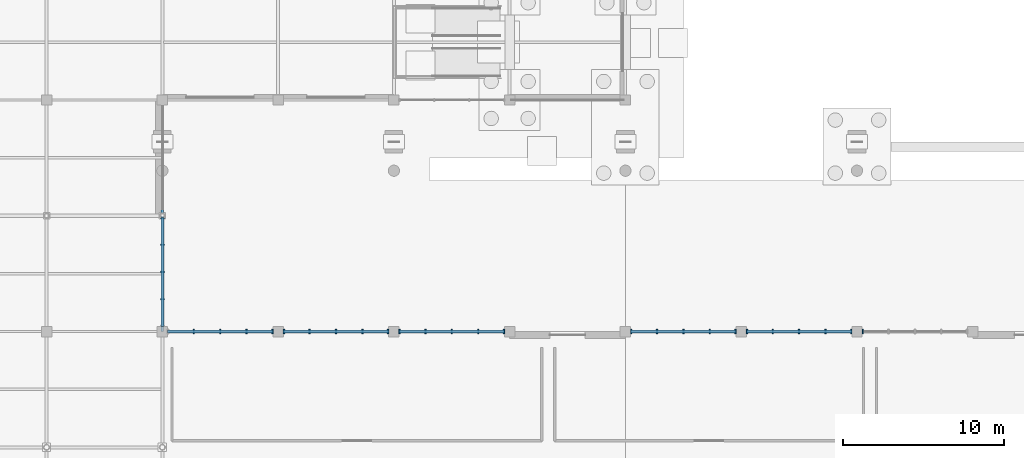
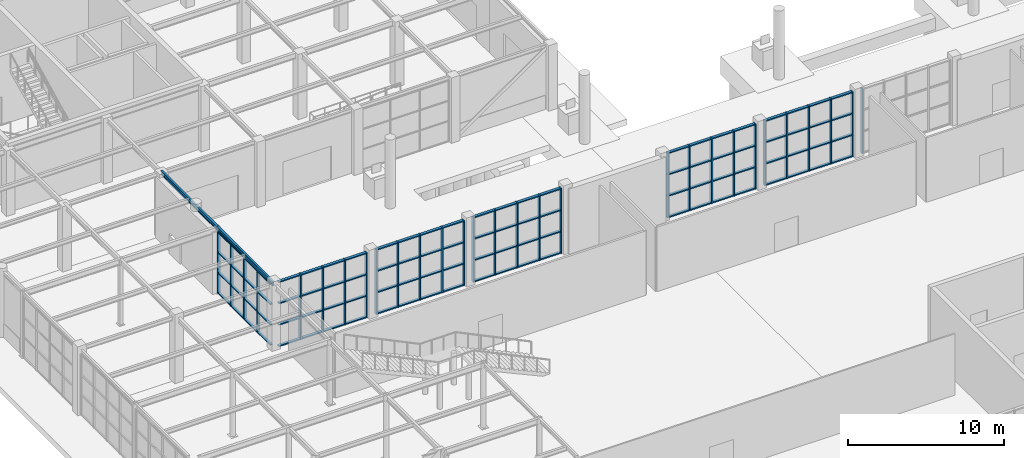
# One storey, part 23 of 75: 53 members, 2 beams, 7 elements without a shape of their own.
"""IFC4 building model written with IfcOpenShell, lengths in metres."""

from ifc_helpers import new_model, si_unit, direction, frame, origin, origin_2d, place, context, subcontext, project, spatial, rectangle, i_section, extrude, material, material_profile, profile_set, type_object, element, aggregate, save


model = new_model("IFC4")

# Units and contexts
model_context = context("Model", 3, precision=1e-05, world=origin(), true_north=direction((0.0, 1.0)))
body_context = subcontext(model_context, "Body", "Model", "MODEL_VIEW")
ifc_project = project(units=[si_unit("LENGTHUNIT", "METRE"), si_unit("AREAUNIT", "SQUARE_METRE"), si_unit("VOLUMEUNIT", "CUBIC_METRE"), si_unit("PLANEANGLEUNIT", "RADIAN"), si_unit("MASSUNIT", "GRAM", prefix="KILO")], contexts=[model_context])

# Site, building, storey
site_placement = place(None, origin())
site = spatial("IfcSite", under=ifc_project, at=site_placement, CompositionType="ELEMENT")
building_placement = place(site_placement, origin())
building = spatial("IfcBuilding", under=site, at=building_placement, Name="Leyfeld Transit Interchange", CompositionType="ELEMENT")
storey_placement = place(building_placement, origin())
storey = spatial("IfcBuildingStorey", under=building, at=storey_placement, Name="L00", CompositionType="ELEMENT", Elevation=0.0)

# Beams
ifc_material_1 = material(Name="Steel S355J2", Category="steel")
ifc_material_profile_1 = material_profile(ifc_material_1, i_section(OverallWidth=0.14990234375, OverallDepth=0.300048828125, WebThickness=0.007080078125, FlangeThickness=0.0107421875, FilletRadius=0.014892578125, at=origin_2d()), Name="IPE 300")
ifc_profile_set_1 = profile_set([ifc_material_profile_1], Name="Steel S355J2")
beam_type = type_object("IfcBeamType", Name="BM-STL-IPE300", PredefinedType="SPANDREL", material=ifc_profile_set_1)
beam_1_placement = place(storey_placement, frame((14.39990234375, 50.39990234375, 5.010009765625), z_axis=(0.0, 1.0, 0.0), x_axis=(-1.0, 0.0, 0.0)))
element("IfcBeam", 1, at=beam_1_placement, inside=storey, type_object=beam_type, Name="Beam BM-L00-0144_0504-0144_0576", PredefinedType="SPANDREL", context=body_context, shape_type="SweptSolid", body=[
    extrude(i_section(OverallWidth=0.14990234375, OverallDepth=0.300048828125, WebThickness=0.007080078125, FlangeThickness=0.0107421875, FilletRadius=0.014892578125, at=origin_2d()), origin(), (0.0, 0.0, 1.0), 7.2001953125),
])
beam_2_placement = place(storey_placement, frame((14.39990234375, 57.60009765625, 5.010009765625), z_axis=(0.0, 1.0, 0.0), x_axis=(-1.0, 0.0, 0.0)))
element("IfcBeam", 2, at=beam_2_placement, inside=storey, type_object=beam_type, Name="Beam BM-L00-0144_0576-0144_0648", PredefinedType="SPANDREL", context=body_context, shape_type="SweptSolid", body=[
    extrude(i_section(OverallWidth=0.14990234375, OverallDepth=0.300048828125, WebThickness=0.007080078125, FlangeThickness=0.0107421875, FilletRadius=0.014892578125, at=origin_2d()), origin(), (0.0, 0.0, 1.0), 7.199951171875),
])

# Curtain wall, members
ifc_material_2 = material(Name="Anodised aluminium EN AW-6060 T66", Category="aluminium")
curtain_wall_type_1 = type_object("IfcCurtainWallType", Name="CW-SYS-PAS-7200", PredefinedType="NOTDEFINED", material=ifc_material_2)
curtain_wall_1_placement = place(storey_placement, origin())
curtain_wall_1 = element("IfcCurtainWall", 3, at=curtain_wall_1_placement, inside=storey, type_object=curtain_wall_type_1, Name="Curtain Wall CW-L00-010", PredefinedType="NOTDEFINED")
ifc_material_profile_2 = material_profile(ifc_material_2, rectangle(XDim=0.074951171875, YDim=0.219970703125, at=origin_2d()), Name="CW-M 75x220")
ifc_profile_set_2 = profile_set([ifc_material_profile_2], Name="Anodised aluminium EN AW-6060 T66")
member_type_1 = type_object("IfcMemberType", Name="CW-MUL-180x70", PredefinedType="MULLION", material=ifc_profile_set_2)
member_1_placement = place(storey_placement, frame((14.39990234375, 57.447509765625, 0.0), z_axis=(0.0, 0.0, 1.0), x_axis=(0.0, -1.0, 0.0)))
member_1 = element("IfcMember", 4, at=member_1_placement, type_object=member_type_1, Name="Curtain Mullion CW-L00-010-M01", PredefinedType="MULLION", context=body_context, shape_type="SweptSolid", body=[
    extrude(rectangle(XDim=0.074951171875, YDim=0.219970703125, at=origin_2d()), origin(), (0.0, 0.0, 1.0), 4.830078125),
])
member_2_placement = place(storey_placement, frame((14.39990234375, 55.79248046875, 0.0), z_axis=(0.0, 0.0, 1.0), x_axis=(0.0, -1.0, 0.0)))
member_2 = element("IfcMember", 5, at=member_2_placement, type_object=member_type_1, Name="Curtain Mullion CW-L00-010-M02", PredefinedType="MULLION", context=body_context, shape_type="SweptSolid", body=[
    extrude(rectangle(XDim=0.074951171875, YDim=0.219970703125, at=origin_2d()), origin(), (0.0, 0.0, 1.0), 4.830078125),
])
member_3_placement = place(storey_placement, frame((14.39990234375, 54.10009765625, 0.0), z_axis=(0.0, 0.0, 1.0), x_axis=(0.0, -1.0, 0.0)))
member_3 = element("IfcMember", 6, at=member_3_placement, type_object=member_type_1, Name="Curtain Mullion CW-L00-010-M03", PredefinedType="MULLION", context=body_context, shape_type="SweptSolid", body=[
    extrude(rectangle(XDim=0.074951171875, YDim=0.219970703125, at=origin_2d()), origin(), (0.0, 0.0, 1.0), 4.830078125),
])
member_4_placement = place(storey_placement, frame((14.39990234375, 52.407470703125, 0.0), z_axis=(0.0, 0.0, 1.0), x_axis=(0.0, -1.0, 0.0)))
member_4 = element("IfcMember", 7, at=member_4_placement, type_object=member_type_1, Name="Curtain Mullion CW-L00-010-M04", PredefinedType="MULLION", context=body_context, shape_type="SweptSolid", body=[
    extrude(rectangle(XDim=0.074951171875, YDim=0.219970703125, at=origin_2d()), origin(), (0.0, 0.0, 1.0), 4.830078125),
])

curtain_wall_type_2 = type_object("IfcCurtainWallType", Name="CW-SYS-ARC-7200", PredefinedType="NOTDEFINED", material=ifc_material_2)
curtain_wall_2_placement = place(storey_placement, origin())
curtain_wall_2 = element("IfcCurtainWall", 8, at=curtain_wall_2_placement, inside=storey, type_object=curtain_wall_type_2, Name="Curtain Wall CW-L00-011", PredefinedType="NOTDEFINED")
ifc_material_profile_3 = material_profile(ifc_material_2, rectangle(XDim=0.0849609375, YDim=0.260009765625, at=origin_2d()), Name="CW-M 85x260")
ifc_profile_set_3 = profile_set([ifc_material_profile_3], Name="Anodised aluminium EN AW-6060 T66")
member_type_2 = type_object("IfcMemberType", Name="CW-MUL-220x80", PredefinedType="MULLION", material=ifc_profile_set_3)
member_5_placement = place(storey_placement, frame((16.357421875, 50.39990234375, 0.0), z_axis=(0.0, 0.0, 1.0), x_axis=(1.0, 0.0, 0.0)))
member_5 = element("IfcMember", 9, at=member_5_placement, type_object=member_type_2, Name="Curtain Mullion CW-L00-011-M02", PredefinedType="MULLION", context=body_context, shape_type="SweptSolid", body=[
    extrude(rectangle(XDim=0.0849609375, YDim=0.260009765625, at=origin_2d()), origin(), (0.0, 0.0, 1.0), 5.10009765625),
])
member_6_placement = place(storey_placement, frame((18.0, 50.39990234375, 0.0), z_axis=(0.0, 0.0, 1.0), x_axis=(1.0, 0.0, 0.0)))
member_6 = element("IfcMember", 10, at=member_6_placement, type_object=member_type_2, Name="Curtain Mullion CW-L00-011-M03", PredefinedType="MULLION", context=body_context, shape_type="SweptSolid", body=[
    extrude(rectangle(XDim=0.0849609375, YDim=0.260009765625, at=origin_2d()), origin(), (0.0, 0.0, 1.0), 5.10009765625),
])
member_7_placement = place(storey_placement, frame((19.642578125, 50.39990234375, 0.0), z_axis=(0.0, 0.0, 1.0), x_axis=(1.0, 0.0, 0.0)))
member_7 = element("IfcMember", 11, at=member_7_placement, type_object=member_type_2, Name="Curtain Mullion CW-L00-011-M04", PredefinedType="MULLION", context=body_context, shape_type="SweptSolid", body=[
    extrude(rectangle(XDim=0.0849609375, YDim=0.260009765625, at=origin_2d()), origin(), (0.0, 0.0, 1.0), 5.10009765625),
])
member_8_placement = place(storey_placement, frame((21.242431640625, 50.39990234375, 0.0), z_axis=(0.0, 0.0, 1.0), x_axis=(1.0, 0.0, 0.0)))
member_8 = element("IfcMember", 12, at=member_8_placement, type_object=member_type_2, Name="Curtain Mullion CW-L00-011-M05", PredefinedType="MULLION", context=body_context, shape_type="SweptSolid", body=[
    extrude(rectangle(XDim=0.0849609375, YDim=0.260009765625, at=origin_2d()), origin(), (0.0, 0.0, 1.0), 5.10009765625),
])

curtain_wall_3_placement = place(storey_placement, origin())
curtain_wall_3 = element("IfcCurtainWall", 13, at=curtain_wall_3_placement, inside=storey, type_object=curtain_wall_type_2, Name="Curtain Wall CW-L00-012", PredefinedType="NOTDEFINED")
member_9_placement = place(storey_placement, frame((21.95751953125, 50.39990234375, 0.0), z_axis=(0.0, 0.0, 1.0), x_axis=(1.0, 0.0, 0.0)))
member_9 = element("IfcMember", 14, at=member_9_placement, type_object=member_type_2, Name="Curtain Mullion CW-L00-012-M01", PredefinedType="MULLION", context=body_context, shape_type="SweptSolid", body=[
    extrude(rectangle(XDim=0.0849609375, YDim=0.260009765625, at=origin_2d()), origin(), (0.0, 0.0, 1.0), 5.10009765625),
])
member_10_placement = place(storey_placement, frame((23.5576171875, 50.39990234375, 0.0), z_axis=(0.0, 0.0, 1.0), x_axis=(1.0, 0.0, 0.0)))
member_10 = element("IfcMember", 15, at=member_10_placement, type_object=member_type_2, Name="Curtain Mullion CW-L00-012-M02", PredefinedType="MULLION", context=body_context, shape_type="SweptSolid", body=[
    extrude(rectangle(XDim=0.0849609375, YDim=0.260009765625, at=origin_2d()), origin(), (0.0, 0.0, 1.0), 5.10009765625),
])
member_11_placement = place(storey_placement, frame((25.199951171875, 50.39990234375, 0.0), z_axis=(0.0, 0.0, 1.0), x_axis=(1.0, 0.0, 0.0)))
member_11 = element("IfcMember", 16, at=member_11_placement, type_object=member_type_2, Name="Curtain Mullion CW-L00-012-M03", PredefinedType="MULLION", context=body_context, shape_type="SweptSolid", body=[
    extrude(rectangle(XDim=0.0849609375, YDim=0.260009765625, at=origin_2d()), origin(), (0.0, 0.0, 1.0), 5.10009765625),
])
member_12_placement = place(storey_placement, frame((26.842529296875, 50.39990234375, 0.0), z_axis=(0.0, 0.0, 1.0), x_axis=(1.0, 0.0, 0.0)))
member_12 = element("IfcMember", 17, at=member_12_placement, type_object=member_type_2, Name="Curtain Mullion CW-L00-012-M04", PredefinedType="MULLION", context=body_context, shape_type="SweptSolid", body=[
    extrude(rectangle(XDim=0.0849609375, YDim=0.260009765625, at=origin_2d()), origin(), (0.0, 0.0, 1.0), 5.10009765625),
])
member_13_placement = place(storey_placement, frame((28.4423828125, 50.39990234375, 0.0), z_axis=(0.0, 0.0, 1.0), x_axis=(1.0, 0.0, 0.0)))
member_13 = element("IfcMember", 18, at=member_13_placement, type_object=member_type_2, Name="Curtain Mullion CW-L00-012-M05", PredefinedType="MULLION", context=body_context, shape_type="SweptSolid", body=[
    extrude(rectangle(XDim=0.0849609375, YDim=0.260009765625, at=origin_2d()), origin(), (0.0, 0.0, 1.0), 5.10009765625),
])

curtain_wall_4_placement = place(storey_placement, origin())
curtain_wall_4 = element("IfcCurtainWall", 19, at=curtain_wall_4_placement, inside=storey, type_object=curtain_wall_type_2, Name="Curtain Wall CW-L00-013", PredefinedType="NOTDEFINED")
member_14_placement = place(storey_placement, frame((29.157470703125, 50.39990234375, 0.0), z_axis=(0.0, 0.0, 1.0), x_axis=(1.0, 0.0, 0.0)))
member_14 = element("IfcMember", 20, at=member_14_placement, type_object=member_type_2, Name="Curtain Mullion CW-L00-013-M01", PredefinedType="MULLION", context=body_context, shape_type="SweptSolid", body=[
    extrude(rectangle(XDim=0.0849609375, YDim=0.260009765625, at=origin_2d()), origin(), (0.0, 0.0, 1.0), 5.10009765625),
])
member_15_placement = place(storey_placement, frame((30.757568359375, 50.39990234375, 0.0), z_axis=(0.0, 0.0, 1.0), x_axis=(1.0, 0.0, 0.0)))
member_15 = element("IfcMember", 21, at=member_15_placement, type_object=member_type_2, Name="Curtain Mullion CW-L00-013-M02", PredefinedType="MULLION", context=body_context, shape_type="SweptSolid", body=[
    extrude(rectangle(XDim=0.0849609375, YDim=0.260009765625, at=origin_2d()), origin(), (0.0, 0.0, 1.0), 5.10009765625),
])
member_16_placement = place(storey_placement, frame((32.39990234375, 50.39990234375, 0.0), z_axis=(0.0, 0.0, 1.0), x_axis=(1.0, 0.0, 0.0)))
member_16 = element("IfcMember", 22, at=member_16_placement, type_object=member_type_2, Name="Curtain Mullion CW-L00-013-M03", PredefinedType="MULLION", context=body_context, shape_type="SweptSolid", body=[
    extrude(rectangle(XDim=0.0849609375, YDim=0.260009765625, at=origin_2d()), origin(), (0.0, 0.0, 1.0), 5.10009765625),
])
member_17_placement = place(storey_placement, frame((34.04248046875, 50.39990234375, 0.0), z_axis=(0.0, 0.0, 1.0), x_axis=(1.0, 0.0, 0.0)))
member_17 = element("IfcMember", 23, at=member_17_placement, type_object=member_type_2, Name="Curtain Mullion CW-L00-013-M04", PredefinedType="MULLION", context=body_context, shape_type="SweptSolid", body=[
    extrude(rectangle(XDim=0.0849609375, YDim=0.260009765625, at=origin_2d()), origin(), (0.0, 0.0, 1.0), 5.10009765625),
])
member_18_placement = place(storey_placement, frame((35.642578125, 50.39990234375, 0.0), z_axis=(0.0, 0.0, 1.0), x_axis=(1.0, 0.0, 0.0)))
member_18 = element("IfcMember", 24, at=member_18_placement, type_object=member_type_2, Name="Curtain Mullion CW-L00-013-M05", PredefinedType="MULLION", context=body_context, shape_type="SweptSolid", body=[
    extrude(rectangle(XDim=0.0849609375, YDim=0.260009765625, at=origin_2d()), origin(), (0.0, 0.0, 1.0), 5.10009765625),
])

curtain_wall_5_placement = place(storey_placement, origin())
curtain_wall_5 = element("IfcCurtainWall", 25, at=curtain_wall_5_placement, inside=storey, type_object=curtain_wall_type_2, Name="Curtain Wall CW-L00-014", PredefinedType="NOTDEFINED")
member_19_placement = place(storey_placement, frame((43.5576171875, 50.39990234375, 0.0), z_axis=(0.0, 0.0, 1.0), x_axis=(1.0, 0.0, 0.0)))
member_19 = element("IfcMember", 26, at=member_19_placement, type_object=member_type_2, Name="Curtain Mullion CW-L00-014-M01", PredefinedType="MULLION", context=body_context, shape_type="SweptSolid", body=[
    extrude(rectangle(XDim=0.0849609375, YDim=0.260009765625, at=origin_2d()), origin(), (0.0, 0.0, 1.0), 5.10009765625),
])
member_20_placement = place(storey_placement, frame((45.157470703125, 50.39990234375, 0.0), z_axis=(0.0, 0.0, 1.0), x_axis=(1.0, 0.0, 0.0)))
member_20 = element("IfcMember", 27, at=member_20_placement, type_object=member_type_2, Name="Curtain Mullion CW-L00-014-M02", PredefinedType="MULLION", context=body_context, shape_type="SweptSolid", body=[
    extrude(rectangle(XDim=0.0849609375, YDim=0.260009765625, at=origin_2d()), origin(), (0.0, 0.0, 1.0), 5.10009765625),
])
member_21_placement = place(storey_placement, frame((46.800048828125, 50.39990234375, 0.0), z_axis=(0.0, 0.0, 1.0), x_axis=(1.0, 0.0, 0.0)))
member_21 = element("IfcMember", 28, at=member_21_placement, type_object=member_type_2, Name="Curtain Mullion CW-L00-014-M03", PredefinedType="MULLION", context=body_context, shape_type="SweptSolid", body=[
    extrude(rectangle(XDim=0.0849609375, YDim=0.260009765625, at=origin_2d()), origin(), (0.0, 0.0, 1.0), 5.10009765625),
])
member_22_placement = place(storey_placement, frame((48.4423828125, 50.39990234375, 0.0), z_axis=(0.0, 0.0, 1.0), x_axis=(1.0, 0.0, 0.0)))
member_22 = element("IfcMember", 29, at=member_22_placement, type_object=member_type_2, Name="Curtain Mullion CW-L00-014-M04", PredefinedType="MULLION", context=body_context, shape_type="SweptSolid", body=[
    extrude(rectangle(XDim=0.0849609375, YDim=0.260009765625, at=origin_2d()), origin(), (0.0, 0.0, 1.0), 5.10009765625),
])
member_23_placement = place(storey_placement, frame((50.04248046875, 50.39990234375, 0.0), z_axis=(0.0, 0.0, 1.0), x_axis=(1.0, 0.0, 0.0)))
member_23 = element("IfcMember", 30, at=member_23_placement, type_object=member_type_2, Name="Curtain Mullion CW-L00-014-M05", PredefinedType="MULLION", context=body_context, shape_type="SweptSolid", body=[
    extrude(rectangle(XDim=0.0849609375, YDim=0.260009765625, at=origin_2d()), origin(), (0.0, 0.0, 1.0), 5.10009765625),
])

curtain_wall_6_placement = place(storey_placement, origin())
curtain_wall_6 = element("IfcCurtainWall", 31, at=curtain_wall_6_placement, inside=storey, type_object=curtain_wall_type_2, Name="Curtain Wall CW-L00-015", PredefinedType="NOTDEFINED")
member_24_placement = place(storey_placement, frame((50.757568359375, 50.39990234375, 0.0), z_axis=(0.0, 0.0, 1.0), x_axis=(1.0, 0.0, 0.0)))
member_24 = element("IfcMember", 32, at=member_24_placement, type_object=member_type_2, Name="Curtain Mullion CW-L00-015-M01", PredefinedType="MULLION", context=body_context, shape_type="SweptSolid", body=[
    extrude(rectangle(XDim=0.0849609375, YDim=0.260009765625, at=origin_2d()), origin(), (0.0, 0.0, 1.0), 5.10009765625),
])
member_25_placement = place(storey_placement, frame((52.357421875, 50.39990234375, 0.0), z_axis=(0.0, 0.0, 1.0), x_axis=(1.0, 0.0, 0.0)))
member_25 = element("IfcMember", 33, at=member_25_placement, type_object=member_type_2, Name="Curtain Mullion CW-L00-015-M02", PredefinedType="MULLION", context=body_context, shape_type="SweptSolid", body=[
    extrude(rectangle(XDim=0.0849609375, YDim=0.260009765625, at=origin_2d()), origin(), (0.0, 0.0, 1.0), 5.10009765625),
])
member_26_placement = place(storey_placement, frame((54.0, 50.39990234375, 0.0), z_axis=(0.0, 0.0, 1.0), x_axis=(1.0, 0.0, 0.0)))
member_26 = element("IfcMember", 34, at=member_26_placement, type_object=member_type_2, Name="Curtain Mullion CW-L00-015-M03", PredefinedType="MULLION", context=body_context, shape_type="SweptSolid", body=[
    extrude(rectangle(XDim=0.0849609375, YDim=0.260009765625, at=origin_2d()), origin(), (0.0, 0.0, 1.0), 5.10009765625),
])
member_27_placement = place(storey_placement, frame((55.642578125, 50.39990234375, 0.0), z_axis=(0.0, 0.0, 1.0), x_axis=(1.0, 0.0, 0.0)))
member_27 = element("IfcMember", 35, at=member_27_placement, type_object=member_type_2, Name="Curtain Mullion CW-L00-015-M04", PredefinedType="MULLION", context=body_context, shape_type="SweptSolid", body=[
    extrude(rectangle(XDim=0.0849609375, YDim=0.260009765625, at=origin_2d()), origin(), (0.0, 0.0, 1.0), 5.10009765625),
])
member_28_placement = place(storey_placement, frame((57.242431640625, 50.39990234375, 0.0), z_axis=(0.0, 0.0, 1.0), x_axis=(1.0, 0.0, 0.0)))
member_28 = element("IfcMember", 36, at=member_28_placement, type_object=member_type_2, Name="Curtain Mullion CW-L00-015-M05", PredefinedType="MULLION", context=body_context, shape_type="SweptSolid", body=[
    extrude(rectangle(XDim=0.0849609375, YDim=0.260009765625, at=origin_2d()), origin(), (0.0, 0.0, 1.0), 5.10009765625),
])

# Curtain wall, member
curtain_wall_7_placement = place(storey_placement, origin())
curtain_wall_7 = element("IfcCurtainWall", 37, at=curtain_wall_7_placement, inside=storey, type_object=curtain_wall_type_2, Name="Curtain Wall CW-L00-016", PredefinedType="NOTDEFINED")
member_29_placement = place(storey_placement, frame((57.95751953125, 50.39990234375, 0.0), z_axis=(0.0, 0.0, 1.0), x_axis=(1.0, 0.0, 0.0)))
member_29 = element("IfcMember", 38, at=member_29_placement, type_object=member_type_2, Name="Curtain Mullion CW-L00-016-M01", PredefinedType="MULLION", context=body_context, shape_type="SweptSolid", body=[
    extrude(rectangle(XDim=0.0849609375, YDim=0.260009765625, at=origin_2d()), origin(), (0.0, 0.0, 1.0), 5.10009765625),
])
aggregate(curtain_wall_7, [member_29])

# Member
ifc_material_profile_4 = material_profile(ifc_material_2, rectangle(XDim=0.179931640625, YDim=0.074951171875, at=origin_2d()), Name="CW-TRN-160x70")
ifc_profile_set_4 = profile_set([ifc_material_profile_4], Name="Anodised aluminium EN AW-6060 T66")
member_type_3 = type_object("IfcMemberType", Name="CW-TRN-160x70", PredefinedType="USERDEFINED", material=ifc_profile_set_4)
member_30_placement = place(storey_placement, frame((14.39990234375, 57.485107421875, 0.03759765625), z_axis=(0.0, -1.0, 0.0), x_axis=(1.0, 0.0, 0.0)))
member_30 = element("IfcMember", 39, at=member_30_placement, type_object=member_type_3, Name="Curtain Transom CW-L00-010-T01", ObjectType="TRANSOM", PredefinedType="USERDEFINED", context=body_context, shape_type="SweptSolid", body=[
    extrude(rectangle(XDim=0.179931640625, YDim=0.074951171875, at=origin_2d()), origin(), (0.0, 0.0, 1.0), 6.77001953125),
])

member_31_placement = place(storey_placement, frame((14.39990234375, 57.485107421875, 1.62255859375), z_axis=(0.0, -1.0, 0.0), x_axis=(1.0, 0.0, 0.0)))
member_31 = element("IfcMember", 40, at=member_31_placement, type_object=member_type_3, Name="Curtain Transom CW-L00-010-T02", ObjectType="TRANSOM", PredefinedType="USERDEFINED", context=body_context, shape_type="SweptSolid", body=[
    extrude(rectangle(XDim=0.179931640625, YDim=0.074951171875, at=origin_2d()), origin(), (0.0, 0.0, 1.0), 6.77001953125),
])

member_32_placement = place(storey_placement, frame((14.39990234375, 57.485107421875, 3.20751953125), z_axis=(0.0, -1.0, 0.0), x_axis=(1.0, 0.0, 0.0)))
member_32 = element("IfcMember", 41, at=member_32_placement, type_object=member_type_3, Name="Curtain Transom CW-L00-010-T03", ObjectType="TRANSOM", PredefinedType="USERDEFINED", context=body_context, shape_type="SweptSolid", body=[
    extrude(rectangle(XDim=0.179931640625, YDim=0.074951171875, at=origin_2d()), origin(), (0.0, 0.0, 1.0), 6.77001953125),
])

member_33_placement = place(storey_placement, frame((14.39990234375, 57.485107421875, 4.79248046875), z_axis=(0.0, -1.0, 0.0), x_axis=(1.0, 0.0, 0.0)))
member_33 = element("IfcMember", 42, at=member_33_placement, type_object=member_type_3, Name="Curtain Transom CW-L00-010-T04", ObjectType="TRANSOM", PredefinedType="USERDEFINED", context=body_context, shape_type="SweptSolid", body=[
    extrude(rectangle(XDim=0.179931640625, YDim=0.074951171875, at=origin_2d()), origin(), (0.0, 0.0, 1.0), 6.77001953125),
])

aggregate(curtain_wall_1, [member_1, member_2, member_3, member_4, member_30, member_31, member_32, member_33])

ifc_material_profile_5 = material_profile(ifc_material_2, rectangle(XDim=0.2099609375, YDim=0.0849609375, at=origin_2d()), Name="CW-TRN-200x80")
ifc_profile_set_5 = profile_set([ifc_material_profile_5], Name="Anodised aluminium EN AW-6060 T66")
member_type_4 = type_object("IfcMemberType", Name="CW-TRN-200x80", PredefinedType="USERDEFINED", material=ifc_profile_set_5)
member_34_placement = place(storey_placement, frame((14.715087890625, 50.39990234375, 0.04248046875), z_axis=(1.0, 0.0, 0.0), x_axis=(0.0, 1.0, 0.0)))
member_34 = element("IfcMember", 43, at=member_34_placement, type_object=member_type_4, Name="Curtain Transom CW-L00-011-T01", ObjectType="TRANSOM", PredefinedType="USERDEFINED", context=body_context, shape_type="SweptSolid", body=[
    extrude(rectangle(XDim=0.2099609375, YDim=0.0849609375, at=origin_2d()), origin(), (0.0, 0.0, 1.0), 6.56982421875),
])

member_35_placement = place(storey_placement, frame((14.715087890625, 50.39990234375, 1.714111328125), z_axis=(1.0, 0.0, 0.0), x_axis=(0.0, 1.0, 0.0)))
member_35 = element("IfcMember", 44, at=member_35_placement, type_object=member_type_4, Name="Curtain Transom CW-L00-011-T02", ObjectType="TRANSOM", PredefinedType="USERDEFINED", context=body_context, shape_type="SweptSolid", body=[
    extrude(rectangle(XDim=0.2099609375, YDim=0.0849609375, at=origin_2d()), origin(), (0.0, 0.0, 1.0), 6.56982421875),
])

member_36_placement = place(storey_placement, frame((14.715087890625, 50.39990234375, 3.3857421875), z_axis=(1.0, 0.0, 0.0), x_axis=(0.0, 1.0, 0.0)))
member_36 = element("IfcMember", 45, at=member_36_placement, type_object=member_type_4, Name="Curtain Transom CW-L00-011-T03", ObjectType="TRANSOM", PredefinedType="USERDEFINED", context=body_context, shape_type="SweptSolid", body=[
    extrude(rectangle(XDim=0.2099609375, YDim=0.0849609375, at=origin_2d()), origin(), (0.0, 0.0, 1.0), 6.56982421875),
])

member_37_placement = place(storey_placement, frame((14.715087890625, 50.39990234375, 5.0576171875), z_axis=(1.0, 0.0, 0.0), x_axis=(0.0, 1.0, 0.0)))
member_37 = element("IfcMember", 46, at=member_37_placement, type_object=member_type_4, Name="Curtain Transom CW-L00-011-T04", ObjectType="TRANSOM", PredefinedType="USERDEFINED", context=body_context, shape_type="SweptSolid", body=[
    extrude(rectangle(XDim=0.2099609375, YDim=0.0849609375, at=origin_2d()), origin(), (0.0, 0.0, 1.0), 6.56982421875),
])

aggregate(curtain_wall_2, [member_5, member_6, member_7, member_8, member_34, member_35, member_36, member_37])

member_38_placement = place(storey_placement, frame((21.9150390625, 50.39990234375, 0.04248046875), z_axis=(1.0, 0.0, 0.0), x_axis=(0.0, 1.0, 0.0)))
member_38 = element("IfcMember", 47, at=member_38_placement, type_object=member_type_4, Name="Curtain Transom CW-L00-012-T01", ObjectType="TRANSOM", PredefinedType="USERDEFINED", context=body_context, shape_type="SweptSolid", body=[
    extrude(rectangle(XDim=0.2099609375, YDim=0.0849609375, at=origin_2d()), origin(), (0.0, 0.0, 1.0), 6.570068359375),
])

member_39_placement = place(storey_placement, frame((21.9150390625, 50.39990234375, 1.714111328125), z_axis=(1.0, 0.0, 0.0), x_axis=(0.0, 1.0, 0.0)))
member_39 = element("IfcMember", 48, at=member_39_placement, type_object=member_type_4, Name="Curtain Transom CW-L00-012-T02", ObjectType="TRANSOM", PredefinedType="USERDEFINED", context=body_context, shape_type="SweptSolid", body=[
    extrude(rectangle(XDim=0.2099609375, YDim=0.0849609375, at=origin_2d()), origin(), (0.0, 0.0, 1.0), 6.570068359375),
])

member_40_placement = place(storey_placement, frame((21.9150390625, 50.39990234375, 3.3857421875), z_axis=(1.0, 0.0, 0.0), x_axis=(0.0, 1.0, 0.0)))
member_40 = element("IfcMember", 49, at=member_40_placement, type_object=member_type_4, Name="Curtain Transom CW-L00-012-T03", ObjectType="TRANSOM", PredefinedType="USERDEFINED", context=body_context, shape_type="SweptSolid", body=[
    extrude(rectangle(XDim=0.2099609375, YDim=0.0849609375, at=origin_2d()), origin(), (0.0, 0.0, 1.0), 6.570068359375),
])

member_41_placement = place(storey_placement, frame((21.9150390625, 50.39990234375, 5.0576171875), z_axis=(1.0, 0.0, 0.0), x_axis=(0.0, 1.0, 0.0)))
member_41 = element("IfcMember", 50, at=member_41_placement, type_object=member_type_4, Name="Curtain Transom CW-L00-012-T04", ObjectType="TRANSOM", PredefinedType="USERDEFINED", context=body_context, shape_type="SweptSolid", body=[
    extrude(rectangle(XDim=0.2099609375, YDim=0.0849609375, at=origin_2d()), origin(), (0.0, 0.0, 1.0), 6.570068359375),
])

aggregate(curtain_wall_3, [member_9, member_10, member_11, member_12, member_13, member_38, member_39, member_40, member_41])

member_42_placement = place(storey_placement, frame((29.114990234375, 50.39990234375, 0.04248046875), z_axis=(1.0, 0.0, 0.0), x_axis=(0.0, 1.0, 0.0)))
member_42 = element("IfcMember", 51, at=member_42_placement, type_object=member_type_4, Name="Curtain Transom CW-L00-013-T01", ObjectType="TRANSOM", PredefinedType="USERDEFINED", context=body_context, shape_type="SweptSolid", body=[
    extrude(rectangle(XDim=0.2099609375, YDim=0.0849609375, at=origin_2d()), origin(), (0.0, 0.0, 1.0), 6.570068359375),
])

member_43_placement = place(storey_placement, frame((29.114990234375, 50.39990234375, 1.714111328125), z_axis=(1.0, 0.0, 0.0), x_axis=(0.0, 1.0, 0.0)))
member_43 = element("IfcMember", 52, at=member_43_placement, type_object=member_type_4, Name="Curtain Transom CW-L00-013-T02", ObjectType="TRANSOM", PredefinedType="USERDEFINED", context=body_context, shape_type="SweptSolid", body=[
    extrude(rectangle(XDim=0.2099609375, YDim=0.0849609375, at=origin_2d()), origin(), (0.0, 0.0, 1.0), 6.570068359375),
])

member_44_placement = place(storey_placement, frame((29.114990234375, 50.39990234375, 3.3857421875), z_axis=(1.0, 0.0, 0.0), x_axis=(0.0, 1.0, 0.0)))
member_44 = element("IfcMember", 53, at=member_44_placement, type_object=member_type_4, Name="Curtain Transom CW-L00-013-T03", ObjectType="TRANSOM", PredefinedType="USERDEFINED", context=body_context, shape_type="SweptSolid", body=[
    extrude(rectangle(XDim=0.2099609375, YDim=0.0849609375, at=origin_2d()), origin(), (0.0, 0.0, 1.0), 6.570068359375),
])

member_45_placement = place(storey_placement, frame((29.114990234375, 50.39990234375, 5.0576171875), z_axis=(1.0, 0.0, 0.0), x_axis=(0.0, 1.0, 0.0)))
member_45 = element("IfcMember", 54, at=member_45_placement, type_object=member_type_4, Name="Curtain Transom CW-L00-013-T04", ObjectType="TRANSOM", PredefinedType="USERDEFINED", context=body_context, shape_type="SweptSolid", body=[
    extrude(rectangle(XDim=0.2099609375, YDim=0.0849609375, at=origin_2d()), origin(), (0.0, 0.0, 1.0), 6.570068359375),
])

aggregate(curtain_wall_4, [member_14, member_15, member_16, member_17, member_18, member_42, member_43, member_44, member_45])

member_46_placement = place(storey_placement, frame((43.514892578125, 50.39990234375, 0.04248046875), z_axis=(1.0, 0.0, 0.0), x_axis=(0.0, 1.0, 0.0)))
member_46 = element("IfcMember", 55, at=member_46_placement, type_object=member_type_4, Name="Curtain Transom CW-L00-014-T01", ObjectType="TRANSOM", PredefinedType="USERDEFINED", context=body_context, shape_type="SweptSolid", body=[
    extrude(rectangle(XDim=0.2099609375, YDim=0.0849609375, at=origin_2d()), origin(), (0.0, 0.0, 1.0), 6.570068359375),
])

member_47_placement = place(storey_placement, frame((43.514892578125, 50.39990234375, 1.714111328125), z_axis=(1.0, 0.0, 0.0), x_axis=(0.0, 1.0, 0.0)))
member_47 = element("IfcMember", 56, at=member_47_placement, type_object=member_type_4, Name="Curtain Transom CW-L00-014-T02", ObjectType="TRANSOM", PredefinedType="USERDEFINED", context=body_context, shape_type="SweptSolid", body=[
    extrude(rectangle(XDim=0.2099609375, YDim=0.0849609375, at=origin_2d()), origin(), (0.0, 0.0, 1.0), 6.570068359375),
])

member_48_placement = place(storey_placement, frame((43.514892578125, 50.39990234375, 3.3857421875), z_axis=(1.0, 0.0, 0.0), x_axis=(0.0, 1.0, 0.0)))
member_48 = element("IfcMember", 57, at=member_48_placement, type_object=member_type_4, Name="Curtain Transom CW-L00-014-T03", ObjectType="TRANSOM", PredefinedType="USERDEFINED", context=body_context, shape_type="SweptSolid", body=[
    extrude(rectangle(XDim=0.2099609375, YDim=0.0849609375, at=origin_2d()), origin(), (0.0, 0.0, 1.0), 6.570068359375),
])

member_49_placement = place(storey_placement, frame((43.514892578125, 50.39990234375, 5.0576171875), z_axis=(1.0, 0.0, 0.0), x_axis=(0.0, 1.0, 0.0)))
member_49 = element("IfcMember", 58, at=member_49_placement, type_object=member_type_4, Name="Curtain Transom CW-L00-014-T04", ObjectType="TRANSOM", PredefinedType="USERDEFINED", context=body_context, shape_type="SweptSolid", body=[
    extrude(rectangle(XDim=0.2099609375, YDim=0.0849609375, at=origin_2d()), origin(), (0.0, 0.0, 1.0), 6.570068359375),
])

aggregate(curtain_wall_5, [member_19, member_20, member_21, member_22, member_23, member_46, member_47, member_48, member_49])

member_50_placement = place(storey_placement, frame((50.715087890625, 50.39990234375, 0.04248046875), z_axis=(1.0, 0.0, 0.0), x_axis=(0.0, 1.0, 0.0)))
member_50 = element("IfcMember", 59, at=member_50_placement, type_object=member_type_4, Name="Curtain Transom CW-L00-015-T01", ObjectType="TRANSOM", PredefinedType="USERDEFINED", context=body_context, shape_type="SweptSolid", body=[
    extrude(rectangle(XDim=0.2099609375, YDim=0.0849609375, at=origin_2d()), origin(), (0.0, 0.0, 1.0), 6.56982421875),
])

member_51_placement = place(storey_placement, frame((50.715087890625, 50.39990234375, 1.714111328125), z_axis=(1.0, 0.0, 0.0), x_axis=(0.0, 1.0, 0.0)))
member_51 = element("IfcMember", 60, at=member_51_placement, type_object=member_type_4, Name="Curtain Transom CW-L00-015-T02", ObjectType="TRANSOM", PredefinedType="USERDEFINED", context=body_context, shape_type="SweptSolid", body=[
    extrude(rectangle(XDim=0.2099609375, YDim=0.0849609375, at=origin_2d()), origin(), (0.0, 0.0, 1.0), 6.56982421875),
])

member_52_placement = place(storey_placement, frame((50.715087890625, 50.39990234375, 3.3857421875), z_axis=(1.0, 0.0, 0.0), x_axis=(0.0, 1.0, 0.0)))
member_52 = element("IfcMember", 61, at=member_52_placement, type_object=member_type_4, Name="Curtain Transom CW-L00-015-T03", ObjectType="TRANSOM", PredefinedType="USERDEFINED", context=body_context, shape_type="SweptSolid", body=[
    extrude(rectangle(XDim=0.2099609375, YDim=0.0849609375, at=origin_2d()), origin(), (0.0, 0.0, 1.0), 6.56982421875),
])

member_53_placement = place(storey_placement, frame((50.715087890625, 50.39990234375, 5.0576171875), z_axis=(1.0, 0.0, 0.0), x_axis=(0.0, 1.0, 0.0)))
member_53 = element("IfcMember", 62, at=member_53_placement, type_object=member_type_4, Name="Curtain Transom CW-L00-015-T04", ObjectType="TRANSOM", PredefinedType="USERDEFINED", context=body_context, shape_type="SweptSolid", body=[
    extrude(rectangle(XDim=0.2099609375, YDim=0.0849609375, at=origin_2d()), origin(), (0.0, 0.0, 1.0), 6.56982421875),
])

aggregate(curtain_wall_6, [member_24, member_25, member_26, member_27, member_28, member_50, member_51, member_52, member_53])

save(model, "model.ifc")
